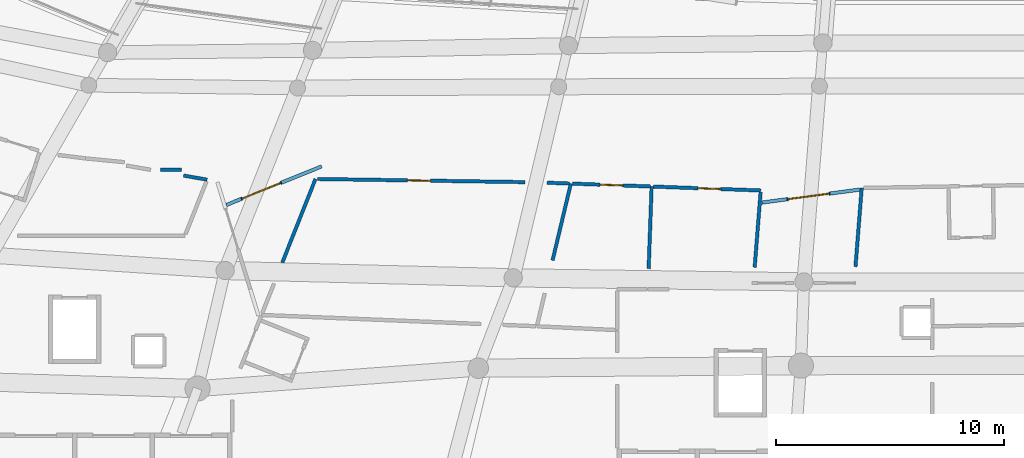
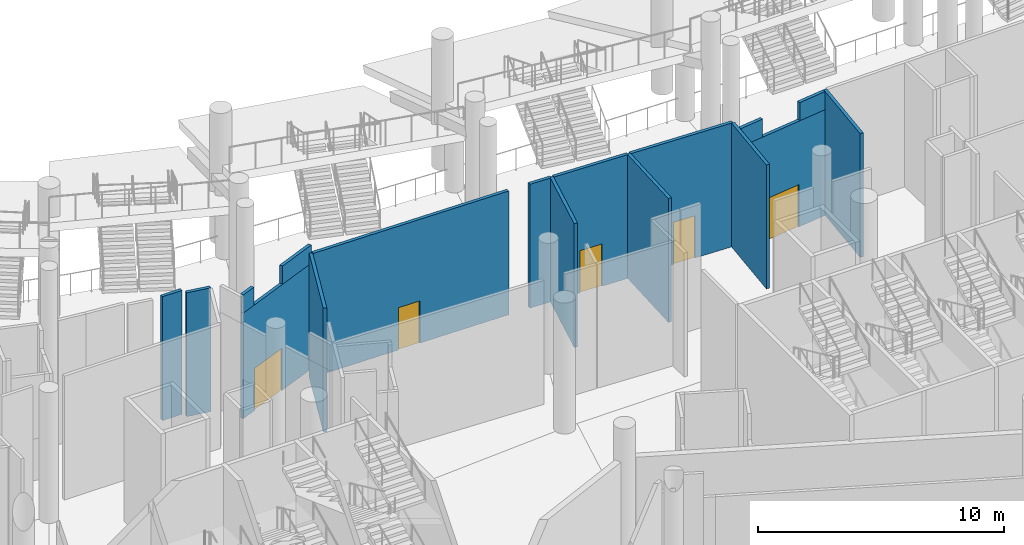
# One storey, part 109 of 255: 17 walls, 5 doors, 5 openings.
"""IFC4 building model written with IfcOpenShell, lengths in metres."""

from ifc_helpers import new_model, si_unit, direction, frame, frame_2d, origin, place, context, subcontext, project, spatial, rectangle, extrude, material, layer, layer_set, type_object, element, fill, save


model = new_model("IFC4")

# Units and contexts
model_context = context("Model", 3, precision=1e-05, world=origin(), true_north=direction((0.0, 1.0)))
body_context = subcontext(model_context, "Body", "Model", "MODEL_VIEW")
ifc_project = project(units=[si_unit("LENGTHUNIT", "METRE"), si_unit("AREAUNIT", "SQUARE_METRE"), si_unit("VOLUMEUNIT", "CUBIC_METRE"), si_unit("PLANEANGLEUNIT", "RADIAN"), si_unit("MASSUNIT", "GRAM", prefix="KILO")], contexts=[model_context])

# Site, building, storey
site_placement = place(None, origin())
site = spatial("IfcSite", under=ifc_project, at=site_placement, CompositionType="ELEMENT")
building_placement = place(site_placement, origin())
building = spatial("IfcBuilding", under=site, at=building_placement, Name="Meseta Stadium", CompositionType="ELEMENT")
storey_placement = place(building_placement, origin())
storey = spatial("IfcBuildingStorey", under=building, at=storey_placement, Name="L00", CompositionType="ELEMENT", Elevation=0.0)

# Walls
ifc_material_1 = material(Name="Masonry blockwork", Category="masonry")
ifc_layer = layer(ifc_material_1, 0.14990234375)
ifc_layer_set = layer_set([ifc_layer], Name="Partition 150")
wall_type = type_object("IfcWallType", Name="Partition 150", PredefinedType="PARTITIONING", material=ifc_layer_set)
wall_1_placement = place(storey_placement, frame((-34.565185546875, -80.96728515625, 0.0), z_axis=(0.0, 0.0, 1.0), x_axis=(1.0, 0.0, 0.0)))
element("IfcWall", 1, at=wall_1_placement, inside=storey, type_object=wall_type, Name="Partition L00 L00-cell21-1-0", PredefinedType="PARTITIONING", context=body_context, shape_type="SweptSolid", body=[
    extrude(rectangle(XDim=0.91845703125, YDim=0.14990234375, at=frame_2d((0.459228515625, 0.0))), origin(), (0.0, 0.0, 1.0), 6.14990234375),
])
wall_2_placement = place(storey_placement, frame((-33.55712890625, -81.219482421875, 0.0), z_axis=(0.0, 0.0, 1.0), x_axis=(0.985005715316, -0.172521711085, 0.0)))
element("IfcWall", 2, at=wall_2_placement, inside=storey, type_object=wall_type, Name="Partition L00 L00-cell21-1-0", PredefinedType="PARTITIONING", context=body_context, shape_type="SweptSolid", body=[
    extrude(rectangle(XDim=1.047119140625, YDim=0.14990234375, at=frame_2d((0.5234375, 0.0))), origin(), (0.0, 0.0, 1.0), 6.14990234375),
])
wall_3_placement = place(storey_placement, frame((-13.18701171875, -85.2998046875, 0.0), z_axis=(0.0, 0.0, 1.0), x_axis=(0.036322391441, 0.999340124222, 0.0)))
element("IfcWall", 3, at=wall_3_placement, inside=storey, type_object=wall_type, Name="Partition L00 L00-cell22-1-0a", PredefinedType="PARTITIONING", context=body_context, shape_type="SweptSolid", body=[
    extrude(rectangle(XDim=3.602783203125, YDim=0.14990234375, at=frame_2d((1.80126953125, 0.0))), origin(), (0.0, 0.0, 1.0), 6.14990234375),
])

# Wall, opening, door
wall_4_placement = place(storey_placement, frame((-12.981201171875, -81.7021484375, 0.0), z_axis=(0.0, 0.0, 1.0), x_axis=(0.999339121267, -0.036349975301, 0.0)))
wall_4 = element("IfcWall", 4, at=wall_4_placement, inside=storey, type_object=wall_type, Name="Partition L00 L00-cell22-1-0a", PredefinedType="PARTITIONING", context=body_context, shape_type="SweptSolid", body=[
    extrude(rectangle(XDim=4.708251953125, YDim=0.14990234375, at=frame_2d((2.35400390625, 0.0))), origin(), (0.0, 0.0, 1.0), 6.14990234375),
])
opening_1_placement = place(wall_4_placement, frame((1.949951171875, 0.0, 0.0)))
opening_1 = element("IfcOpeningElement", 5, at=opening_1_placement, cuts=wall_4, Name="Opening D598", PredefinedType="OPENING", context=body_context, shape_type="SweptSolid", body=[
    extrude(rectangle(XDim=1.0, YDim=2.10009765625, at=frame_2d((0.5, 1.050048828125))), frame((0.0, 0.0849609375, 0.0), z_axis=(0.0, -1.0, 0.0), x_axis=(1.0, 0.0, 0.0)), (0.0, 0.0, 1.0), 0.169921875),
])
ifc_material_2 = material(Name="Timber", Category="wood")
door_type_1 = type_object("IfcDoorType", Name="Room door 1000x2100", OperationType="NOTDEFINED", PredefinedType="DOOR", material=ifc_material_2)
door_1_placement = place(opening_1_placement, origin())
door_1 = element("IfcDoor", 6, at=door_1_placement, inside=storey, type_object=door_type_1, Name="Door D598", OperationType="SINGLE_SWING_RIGHT", OverallHeight=2.10009765625, OverallWidth=1.0, PredefinedType="DOOR", context=body_context, shape_type="SweptSolid", body=[
    extrude(rectangle(XDim=1.0, YDim=2.10009765625, at=frame_2d((0.5, 1.050048828125))), frame((0.0, 0.02490234375, 0.0), z_axis=(0.0, -1.0, 0.0), x_axis=(1.0, 0.0, 0.0)), (0.0, 0.0, 1.0), 0.050048828125),
])
fill(opening_1, door_1)

# Walls
wall_5_placement = place(storey_placement, frame((-8.2822265625, -81.947998046875, 0.0), z_axis=(0.0, 0.0, 1.0), x_axis=(-0.079066134404, -0.996869372782, 0.0)))
element("IfcWall", 7, at=wall_5_placement, inside=storey, type_object=wall_type, Name="Partition L00 L00-cell22-1-0a", PredefinedType="PARTITIONING", context=body_context, shape_type="SweptSolid", body=[
    extrude(rectangle(XDim=3.30078125, YDim=0.14990234375, at=frame_2d((1.650390625, 0.0))), origin(), (0.0, 0.0, 1.0), 6.14990234375),
])
wall_6_placement = place(storey_placement, frame((-17.3955078125, -84.93701171875, 0.0), z_axis=(0.0, 0.0, 1.0), x_axis=(0.231630065764, 0.972803943575, 0.0)))
element("IfcWall", 8, at=wall_6_placement, inside=storey, type_object=wall_type, Name="Partition L00 L00-cell22-1-0b1", PredefinedType="PARTITIONING", context=body_context, shape_type="SweptSolid", body=[
    extrude(rectangle(XDim=3.460205078125, YDim=0.14990234375, at=frame_2d((1.72998046875, 0.0))), origin(), (0.0, 0.0, 1.0), 6.14990234375),
])

# Wall, opening, door
wall_7_placement = place(storey_placement, frame((-16.517578125, -81.573486328125, 0.0), z_axis=(0.0, 0.0, 1.0), x_axis=(0.999339781254, -0.036331826299, 0.0)))
wall_7 = element("IfcWall", 9, at=wall_7_placement, inside=storey, type_object=wall_type, Name="Partition L00 L00-cell22-1-0b1", PredefinedType="PARTITIONING", context=body_context, shape_type="SweptSolid", body=[
    extrude(rectangle(XDim=3.41357421875, YDim=0.14990234375, at=frame_2d((1.706787109375, 0.0))), origin(), (0.0, 0.0, 1.0), 6.14990234375),
])
opening_2_placement = place(wall_7_placement, frame((1.199951171875, 0.0, 0.0)))
opening_2 = element("IfcOpeningElement", 10, at=opening_2_placement, cuts=wall_7, Name="Opening D599", PredefinedType="OPENING", context=body_context, shape_type="SweptSolid", body=[
    extrude(rectangle(XDim=1.0, YDim=2.10009765625, at=frame_2d((0.5, 1.050048828125))), frame((0.0, 0.0849609375, 0.0), z_axis=(0.0, -1.0, 0.0), x_axis=(1.0, 0.0, 0.0)), (0.0, 0.0, 1.0), 0.169921875),
])
door_2_placement = place(opening_2_placement, origin())
door_2 = element("IfcDoor", 11, at=door_2_placement, inside=storey, type_object=door_type_1, Name="Door D599", OperationType="SINGLE_SWING_RIGHT", OverallHeight=2.10009765625, OverallWidth=1.0, PredefinedType="DOOR", context=body_context, shape_type="SweptSolid", body=[
    extrude(rectangle(XDim=1.0, YDim=2.10009765625, at=frame_2d((0.5, 1.050048828125))), frame((0.0, 0.02490234375, 0.0), z_axis=(0.0, -1.0, 0.0), x_axis=(1.0, 0.0, 0.0)), (0.0, 0.0, 1.0), 0.050048828125),
])
fill(opening_2, door_2)

# Wall
wall_8_placement = place(storey_placement, frame((-29.234130859375, -85.03466796875, 0.0), z_axis=(0.0, 0.0, 1.0), x_axis=(0.368859950934, 0.9294849846, 0.0)))
element("IfcWall", 12, at=wall_8_placement, inside=storey, type_object=wall_type, Name="Partition L00 L00-cell22-1-0w", PredefinedType="PARTITIONING", context=body_context, shape_type="SweptSolid", body=[
    extrude(rectangle(XDim=3.944091796875, YDim=0.14990234375, at=frame_2d((1.97216796875, 0.0))), origin(), (0.0, 0.0, 1.0), 6.14990234375),
])

# Wall, opening, door
wall_9_placement = place(storey_placement, frame((-27.69921875, -81.369873046875, 0.0), z_axis=(0.0, 0.0, 1.0), x_axis=(0.999884976641, -0.015166854913, 0.0)))
wall_9 = element("IfcWall", 13, at=wall_9_placement, inside=storey, type_object=wall_type, Name="Partition L00 L00-cell22-1-0w", PredefinedType="PARTITIONING", context=body_context, shape_type="SweptSolid", body=[
    extrude(rectangle(XDim=9.0947265625, YDim=0.14990234375, at=frame_2d((4.54736328125, 0.0))), origin(), (0.0, 0.0, 1.0), 6.14990234375),
])
opening_3_placement = place(wall_9_placement, frame((3.949951171875, 0.0, 0.0)))
opening_3 = element("IfcOpeningElement", 14, at=opening_3_placement, cuts=wall_9, Name="Opening D600", PredefinedType="OPENING", context=body_context, shape_type="SweptSolid", body=[
    extrude(rectangle(XDim=1.0, YDim=2.10009765625, at=frame_2d((0.5, 1.050048828125))), frame((0.0, 0.0849609375, 0.0), z_axis=(0.0, -1.0, 0.0), x_axis=(1.0, 0.0, 0.0)), (0.0, 0.0, 1.0), 0.169921875),
])
door_3_placement = place(opening_3_placement, origin())
door_3 = element("IfcDoor", 15, at=door_3_placement, inside=storey, type_object=door_type_1, Name="Door D600", OperationType="SINGLE_SWING_LEFT", OverallHeight=2.10009765625, OverallWidth=1.0, PredefinedType="DOOR", context=body_context, shape_type="SweptSolid", body=[
    extrude(rectangle(XDim=1.0, YDim=2.10009765625, at=frame_2d((0.5, 1.050048828125))), frame((0.0, 0.02490234375, 0.0), z_axis=(0.0, -1.0, 0.0), x_axis=(1.0, 0.0, 0.0)), (0.0, 0.0, 1.0), 0.050048828125),
])
fill(opening_3, door_3)

# Walls
wall_10_placement = place(storey_placement, frame((-17.630126953125, -81.533203125, 0.0), z_axis=(0.0, 0.0, 1.0), x_axis=(0.999346023041, -0.036159732184, 0.0)))
element("IfcWall", 16, at=wall_10_placement, inside=storey, type_object=wall_type, Name="Partition L00 L00-cell22-1-0w", PredefinedType="PARTITIONING", context=body_context, shape_type="SweptSolid", body=[
    extrude(rectangle(XDim=0.98583984375, YDim=0.14990234375, at=frame_2d((0.492919921875, 0.0))), origin(), (0.0, 0.0, 1.0), 6.14990234375),
])
wall_11_placement = place(storey_placement, frame((-4.12744140625, -85.21435546875, 0.0), z_axis=(0.0, 0.0, 1.0), x_axis=(0.079080692969, 0.99686821797, 0.0)))
element("IfcWall", 17, at=wall_11_placement, inside=storey, type_object=wall_type, Name="Partition L00 L00-cell23-1-0", PredefinedType="PARTITIONING", context=body_context, shape_type="SweptSolid", body=[
    extrude(rectangle(XDim=3.460693359375, YDim=0.14990234375, at=frame_2d((1.73046875, 0.0))), origin(), (0.0, 0.0, 1.0), 6.14990234375),
])

# Wall, opening, door
wall_12_placement = place(storey_placement, frame((-31.68115234375, -82.507080078125, 0.0), z_axis=(0.0, 0.0, 1.0), x_axis=(0.926969266013, 0.375137281361, 0.0)))
wall_12 = element("IfcWall", 18, at=wall_12_placement, inside=storey, type_object=wall_type, Name="Escape corridor discharge wall L00 core 23", PredefinedType="PARTITIONING", context=body_context, shape_type="SweptSolid", body=[
    extrude(rectangle(XDim=4.501708984375, YDim=0.14990234375, at=frame_2d((2.2509765625, 0.0))), origin(), (0.0, 0.0, 1.0), 5.25),
])
opening_4_placement = place(wall_12_placement, frame((0.751708984375, 0.0, 0.0)))
opening_4 = element("IfcOpeningElement", 19, at=opening_4_placement, cuts=wall_12, Name="Opening D399", PredefinedType="OPENING", context=body_context, shape_type="SweptSolid", body=[
    extrude(rectangle(XDim=1.800048828125, YDim=2.10009765625, at=frame_2d((0.89990234375, 1.050048828125))), frame((0.0, 0.0849609375, 0.0), z_axis=(0.0, -1.0, 0.0), x_axis=(1.0, 0.0, 0.0)), (0.0, 0.0, 1.0), 0.169921875),
])
ifc_material_3 = material(Name="Steel", Category="steel")
door_type_2 = type_object("IfcDoorType", Name="Fire double door 1800x2100 EI2 60", OperationType="DOUBLE_DOOR_SINGLE_SWING", PredefinedType="DOOR", material=ifc_material_3)
door_4_placement = place(opening_4_placement, origin())
door_4 = element("IfcDoor", 20, at=door_4_placement, inside=storey, type_object=door_type_2, Name="Stair discharge door SD23-1", OperationType="DOUBLE_DOOR_SINGLE_SWING", OverallHeight=2.10009765625, OverallWidth=1.800048828125, PredefinedType="DOOR", context=body_context, shape_type="SweptSolid", body=[
    extrude(rectangle(XDim=1.800048828125, YDim=2.10009765625, at=frame_2d((0.89990234375, 1.050048828125))), frame((0.0, 0.02490234375, 0.0), z_axis=(0.0, -1.0, 0.0), x_axis=(1.0, 0.0, 0.0)), (0.0, 0.0, 1.0), 0.050048828125),
])
fill(opening_4, door_4)

# Walls
wall_13_placement = place(storey_placement, frame((-29.26953125, -81.53125, 5.25), z_axis=(0.0, 0.0, 1.0), x_axis=(0.926944685228, 0.375198015091, 0.0)))
element("IfcWall", 21, at=wall_13_placement, inside=storey, type_object=wall_type, Name="Escape corridor discharge wall L00 core 23", PredefinedType="PARTITIONING", context=body_context, shape_type="SweptSolid", body=[
    extrude(rectangle(XDim=1.900146484375, YDim=0.14990234375, at=frame_2d((0.9501953125, 0.0))), origin(), (0.0, 0.0, 1.0), 0.89990234375),
])
wall_14_placement = place(storey_placement, frame((-31.68115234375, -82.507080078125, 5.25), z_axis=(0.0, 0.0, 1.0), x_axis=(0.926981385547, 0.37510733244, 0.0)))
element("IfcWall", 22, at=wall_14_placement, inside=storey, type_object=wall_type, Name="Escape corridor discharge wall L00 core 23", PredefinedType="PARTITIONING", context=body_context, shape_type="SweptSolid", body=[
    extrude(rectangle(XDim=0.70166015625, YDim=0.14990234375, at=frame_2d((0.350830078125, 0.0))), origin(), (0.0, 0.0, 1.0), 0.89990234375),
])

# Wall, opening, door
wall_15_placement = place(storey_placement, frame((-8.226318359375, -82.402587890625, 0.0), z_axis=(0.0, 0.0, 1.0), x_axis=(0.991336345684, 0.131347819645, 0.0)))
wall_15 = element("IfcWall", 23, at=wall_15_placement, inside=storey, type_object=wall_type, Name="Escape corridor discharge wall L00 core 24", PredefinedType="PARTITIONING", context=body_context, shape_type="SweptSolid", body=[
    extrude(rectangle(XDim=4.312255859375, YDim=0.14990234375, at=frame_2d((2.15625, 0.0))), origin(), (0.0, 0.0, 1.0), 5.25),
])
opening_5_placement = place(wall_15_placement, frame((1.162353515625, 0.0, 0.0)))
opening_5 = element("IfcOpeningElement", 24, at=opening_5_placement, cuts=wall_15, Name="Opening D400", PredefinedType="OPENING", context=body_context, shape_type="SweptSolid", body=[
    extrude(rectangle(XDim=1.800048828125, YDim=2.10009765625, at=frame_2d((0.89990234375, 1.050048828125))), frame((0.0, 0.0849609375, 0.0), z_axis=(0.0, -1.0, 0.0), x_axis=(1.0, 0.0, 0.0)), (0.0, 0.0, 1.0), 0.169921875),
])
door_5_placement = place(opening_5_placement, origin())
door_5 = element("IfcDoor", 25, at=door_5_placement, inside=storey, type_object=door_type_2, Name="Stair discharge door SD24-1", OperationType="DOUBLE_DOOR_SINGLE_SWING", OverallHeight=2.10009765625, OverallWidth=1.800048828125, PredefinedType="DOOR", context=body_context, shape_type="SweptSolid", body=[
    extrude(rectangle(XDim=1.800048828125, YDim=2.10009765625, at=frame_2d((0.89990234375, 1.050048828125))), frame((0.0, 0.02490234375, 0.0), z_axis=(0.0, -1.0, 0.0), x_axis=(1.0, 0.0, 0.0)), (0.0, 0.0, 1.0), 0.050048828125),
])
fill(opening_5, door_5)

# Walls
wall_16_placement = place(storey_placement, frame((-5.239990234375, -82.0068359375, 5.25), z_axis=(0.0, 0.0, 1.0), x_axis=(0.991343984125, 0.131290156291, 0.0)))
element("IfcWall", 26, at=wall_16_placement, inside=storey, type_object=wall_type, Name="Escape corridor discharge wall L00 core 24", PredefinedType="PARTITIONING", context=body_context, shape_type="SweptSolid", body=[
    extrude(rectangle(XDim=1.2998046875, YDim=0.14990234375, at=frame_2d((0.64990234375, 0.0))), origin(), (0.0, 0.0, 1.0), 0.89990234375),
])
wall_17_placement = place(storey_placement, frame((-8.226318359375, -82.402587890625, 5.25), z_axis=(0.0, 0.0, 1.0), x_axis=(0.991350147391, 0.131243610392, 0.0)))
element("IfcWall", 27, at=wall_17_placement, inside=storey, type_object=wall_type, Name="Escape corridor discharge wall L00 core 24", PredefinedType="PARTITIONING", context=body_context, shape_type="SweptSolid", body=[
    extrude(rectangle(XDim=1.1123046875, YDim=0.14990234375, at=frame_2d((0.55615234375, 0.0))), origin(), (0.0, 0.0, 1.0), 0.89990234375),
])

save(model, "model.ifc")
